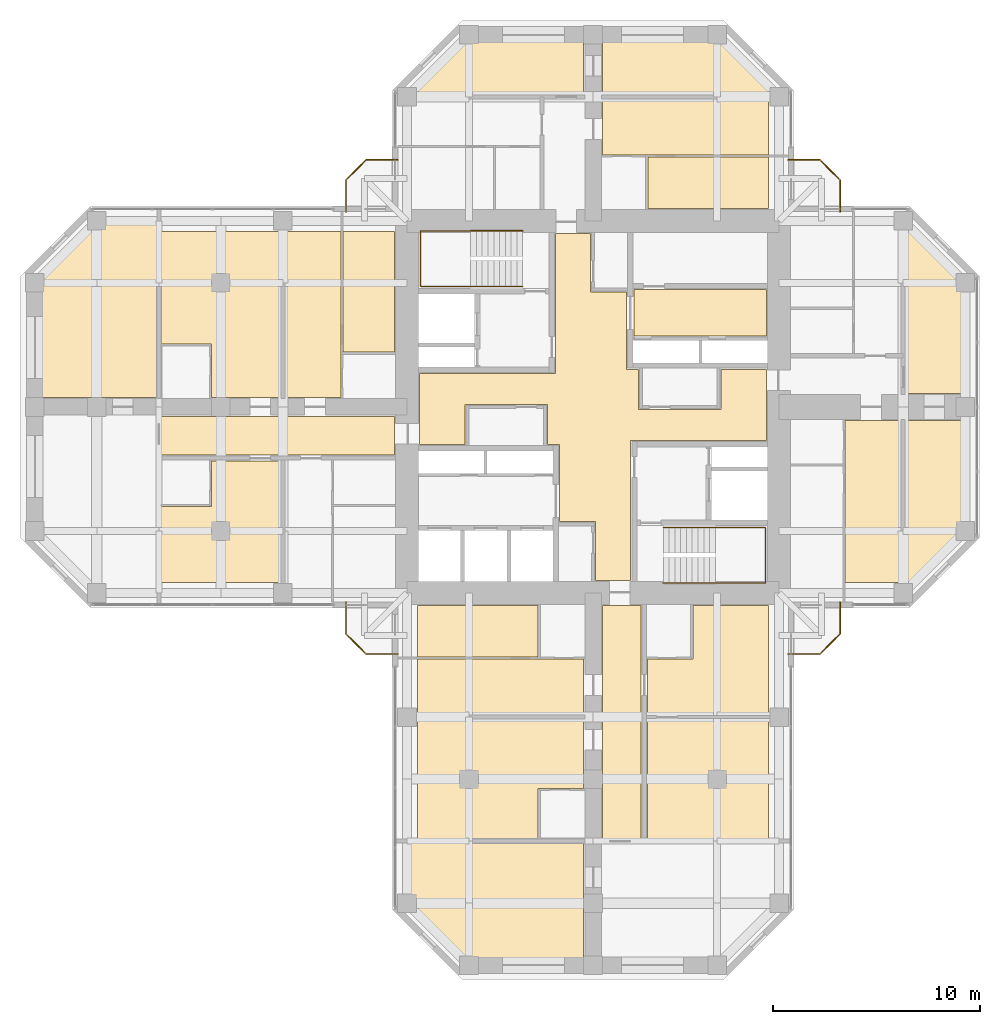
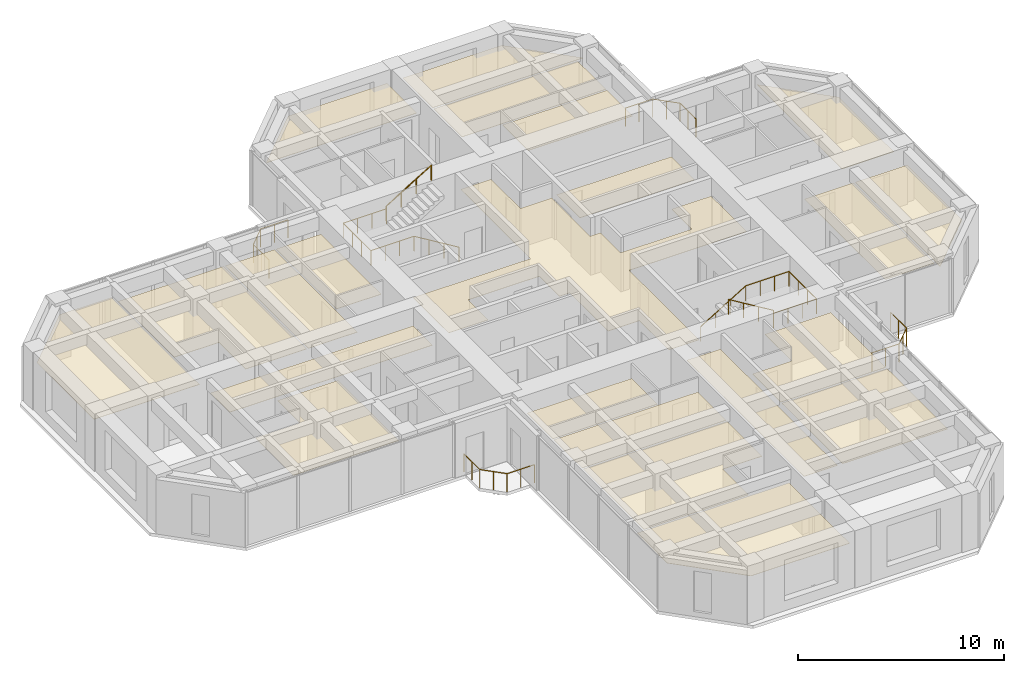
# One storey, part 14 of 14: 22 coverings, 8 railings.
"""IFC4 building model written with IfcOpenShell, lengths in metres."""

from ifc_helpers import new_model, si_unit, direction, frame, origin, origin_2d, place, context, subcontext, project, spatial, polyline, circle, outline, extrude, material, layer, layer_set, constituent, constituent_set, type_object, element, save


model = new_model("IFC4")

# Units and contexts
model_context = context("Model", 3, precision=1e-05, world=origin(), true_north=direction((0.0, 1.0)))
body_context = subcontext(model_context, "Body", "Model", "MODEL_VIEW")
ifc_project = project(units=[si_unit("LENGTHUNIT", "METRE"), si_unit("AREAUNIT", "SQUARE_METRE"), si_unit("VOLUMEUNIT", "CUBIC_METRE"), si_unit("PLANEANGLEUNIT", "RADIAN"), si_unit("MASSUNIT", "GRAM", prefix="KILO")], contexts=[model_context])

# Site, building, storey
site_placement = place(None, origin())
site = spatial("IfcSite", under=ifc_project, at=site_placement, CompositionType="ELEMENT")
building_placement = place(site_placement, origin())
building = spatial("IfcBuilding", under=site, at=building_placement, Name="Torre Cruceta", CompositionType="ELEMENT")
storey_placement = place(building_placement, frame((0.0, 0.0, 179.699951171875)))
storey = spatial("IfcBuildingStorey", under=building, at=storey_placement, Name="L44", CompositionType="ELEMENT", Elevation=179.699951171875)

# Railings
ifc_material_1 = material(Name="Stainless steel 1.4401", Category="steel")
ifc_constituent_1 = constituent(ifc_material_1, Name="Frame")
ifc_material_2 = material(Name="Laminated safety glass", Category="glass")
ifc_constituent_2 = constituent(ifc_material_2, Name="Infill")
ifc_constituent_set = constituent_set(constituents=[ifc_constituent_1, ifc_constituent_2], Name="Stainless steel and laminated glass balustrade")
railing_type_1 = type_object("IfcRailingType", Name="BALCONY BALUSTRADE 1100", PredefinedType="BALUSTRADE", material=ifc_constituent_set)
railing_1_placement = place(storey_placement, frame((-9.449951171875, 11.949951171875, 0.0)))
element("IfcRailing", 1, at=railing_1_placement, inside=storey, type_object=railing_type_1, Name="BL1 balcony balustrade L44 N", PredefinedType="BALUSTRADE", context=body_context, shape_type="SweptSolid", body=[
    extrude(circle(Radius=0.02392578125, at=origin_2d()), frame((0.0, 0.0, 1.076171875), z_axis=(-1.0, 0.0, 0.0), x_axis=(0.0, -1.0, 0.0)), (0.0, 0.0, 1.0), 1.529296875),
    extrude(circle(Radius=0.02392578125, at=origin_2d()), frame((-1.529296875, 0.0, 1.076171875), z_axis=(-0.707106781187, -0.707106781187, 0.0), x_axis=(0.707106781187, -0.707106781187, 0.0)), (0.0, 0.0, 1.0), 1.372802734375),
    extrude(circle(Radius=0.02392578125, at=origin_2d()), frame((-2.5, -0.970703125, 1.076171875), z_axis=(0.0, -1.0, 0.0), x_axis=(1.0, 0.0, 0.0)), (0.0, 0.0, 1.0), 1.529296875),
    extrude(circle(Radius=0.02099609375, at=origin_2d()), origin(), (0.0, 0.0, 1.0), 1.052001953125),
    extrude(circle(Radius=0.02099609375, at=origin_2d()), frame((-0.7646484375, 0.0, 0.0)), (0.0, 0.0, 1.0), 1.052001953125),
    extrude(circle(Radius=0.02099609375, at=origin_2d()), frame((-1.529296875, 0.0, 0.0)), (0.0, 0.0, 1.0), 1.052001953125),
    extrude(circle(Radius=0.02099609375, at=origin_2d()), frame((-2.0146484375, -0.4853515625, 0.0)), (0.0, 0.0, 1.0), 1.052001953125),
    extrude(circle(Radius=0.02099609375, at=origin_2d()), frame((-2.5, -0.970703125, 0.0)), (0.0, 0.0, 1.0), 1.052001953125),
    extrude(circle(Radius=0.02099609375, at=origin_2d()), frame((-2.5, -1.7353515625, 0.0)), (0.0, 0.0, 1.0), 1.052001953125),
    extrude(circle(Radius=0.02099609375, at=origin_2d()), frame((-2.5, -2.5, 0.0)), (0.0, 0.0, 1.0), 1.052001953125),
])
railing_2_placement = place(storey_placement, frame((9.449951171875, 11.949951171875, 0.0)))
element("IfcRailing", 2, at=railing_2_placement, inside=storey, type_object=railing_type_1, Name="BL1 balcony balustrade L44 E", PredefinedType="BALUSTRADE", context=body_context, shape_type="SweptSolid", body=[
    extrude(circle(Radius=0.02392578125, at=origin_2d()), frame((0.0, 0.0, 1.076171875), z_axis=(1.0, 0.0, 0.0), x_axis=(0.0, 1.0, 0.0)), (0.0, 0.0, 1.0), 1.529296875),
    extrude(circle(Radius=0.02392578125, at=origin_2d()), frame((1.529296875, 0.0, 1.076171875), z_axis=(0.707106781187, -0.707106781187, 0.0), x_axis=(0.707106781187, 0.707106781187, 0.0)), (0.0, 0.0, 1.0), 1.372802734375),
    extrude(circle(Radius=0.02392578125, at=origin_2d()), frame((2.5, -0.970703125, 1.076171875), z_axis=(0.0, -1.0, 0.0), x_axis=(1.0, 0.0, 0.0)), (0.0, 0.0, 1.0), 1.529296875),
    extrude(circle(Radius=0.02099609375, at=origin_2d()), origin(), (0.0, 0.0, 1.0), 1.052001953125),
    extrude(circle(Radius=0.02099609375, at=origin_2d()), frame((0.7646484375, 0.0, 0.0)), (0.0, 0.0, 1.0), 1.052001953125),
    extrude(circle(Radius=0.02099609375, at=origin_2d()), frame((1.529296875, 0.0, 0.0)), (0.0, 0.0, 1.0), 1.052001953125),
    extrude(circle(Radius=0.02099609375, at=origin_2d()), frame((2.0146484375, -0.4853515625, 0.0)), (0.0, 0.0, 1.0), 1.052001953125),
    extrude(circle(Radius=0.02099609375, at=origin_2d()), frame((2.5, -0.970703125, 0.0)), (0.0, 0.0, 1.0), 1.052001953125),
    extrude(circle(Radius=0.02099609375, at=origin_2d()), frame((2.5, -1.7353515625, 0.0)), (0.0, 0.0, 1.0), 1.052001953125),
    extrude(circle(Radius=0.02099609375, at=origin_2d()), frame((2.5, -2.5, 0.0)), (0.0, 0.0, 1.0), 1.052001953125),
])
railing_3_placement = place(storey_placement, frame((9.449951171875, -11.949951171875, 0.0)))
element("IfcRailing", 3, at=railing_3_placement, inside=storey, type_object=railing_type_1, Name="BL1 balcony balustrade L44 S", PredefinedType="BALUSTRADE", context=body_context, shape_type="SweptSolid", body=[
    extrude(circle(Radius=0.02392578125, at=origin_2d()), frame((0.0, 0.0, 1.076171875), z_axis=(1.0, 0.0, 0.0), x_axis=(0.0, 1.0, 0.0)), (0.0, 0.0, 1.0), 1.529296875),
    extrude(circle(Radius=0.02392578125, at=origin_2d()), frame((1.529296875, 0.0, 1.076171875), z_axis=(0.707106781187, 0.707106781187, 0.0), x_axis=(-0.707106781187, 0.707106781187, 0.0)), (0.0, 0.0, 1.0), 1.372802734375),
    extrude(circle(Radius=0.02392578125, at=origin_2d()), frame((2.5, 0.970703125, 1.076171875), z_axis=(0.0, 1.0, 0.0), x_axis=(-1.0, 0.0, 0.0)), (0.0, 0.0, 1.0), 1.529296875),
    extrude(circle(Radius=0.02099609375, at=origin_2d()), origin(), (0.0, 0.0, 1.0), 1.052001953125),
    extrude(circle(Radius=0.02099609375, at=origin_2d()), frame((0.7646484375, 0.0, 0.0)), (0.0, 0.0, 1.0), 1.052001953125),
    extrude(circle(Radius=0.02099609375, at=origin_2d()), frame((1.529296875, 0.0, 0.0)), (0.0, 0.0, 1.0), 1.052001953125),
    extrude(circle(Radius=0.02099609375, at=origin_2d()), frame((2.0146484375, 0.4853515625, 0.0)), (0.0, 0.0, 1.0), 1.052001953125),
    extrude(circle(Radius=0.02099609375, at=origin_2d()), frame((2.5, 0.970703125, 0.0)), (0.0, 0.0, 1.0), 1.052001953125),
    extrude(circle(Radius=0.02099609375, at=origin_2d()), frame((2.5, 1.7353515625, 0.0)), (0.0, 0.0, 1.0), 1.052001953125),
    extrude(circle(Radius=0.02099609375, at=origin_2d()), frame((2.5, 2.5, 0.0)), (0.0, 0.0, 1.0), 1.052001953125),
])
railing_4_placement = place(storey_placement, frame((-9.449951171875, -11.949951171875, 0.0)))
element("IfcRailing", 4, at=railing_4_placement, inside=storey, type_object=railing_type_1, Name="BL1 balcony balustrade L44 W", PredefinedType="BALUSTRADE", context=body_context, shape_type="SweptSolid", body=[
    extrude(circle(Radius=0.02392578125, at=origin_2d()), frame((0.0, 0.0, 1.076171875), z_axis=(-1.0, 0.0, 0.0), x_axis=(0.0, -1.0, 0.0)), (0.0, 0.0, 1.0), 1.529296875),
    extrude(circle(Radius=0.02392578125, at=origin_2d()), frame((-1.529296875, 0.0, 1.076171875), z_axis=(-0.707106781187, 0.707106781187, 0.0), x_axis=(-0.707106781187, -0.707106781187, 0.0)), (0.0, 0.0, 1.0), 1.372802734375),
    extrude(circle(Radius=0.02392578125, at=origin_2d()), frame((-2.5, 0.970703125, 1.076171875), z_axis=(0.0, 1.0, 0.0), x_axis=(-1.0, 0.0, 0.0)), (0.0, 0.0, 1.0), 1.529296875),
    extrude(circle(Radius=0.02099609375, at=origin_2d()), origin(), (0.0, 0.0, 1.0), 1.052001953125),
    extrude(circle(Radius=0.02099609375, at=origin_2d()), frame((-0.7646484375, 0.0, 0.0)), (0.0, 0.0, 1.0), 1.052001953125),
    extrude(circle(Radius=0.02099609375, at=origin_2d()), frame((-1.529296875, 0.0, 0.0)), (0.0, 0.0, 1.0), 1.052001953125),
    extrude(circle(Radius=0.02099609375, at=origin_2d()), frame((-2.0146484375, 0.4853515625, 0.0)), (0.0, 0.0, 1.0), 1.052001953125),
    extrude(circle(Radius=0.02099609375, at=origin_2d()), frame((-2.5, 0.970703125, 0.0)), (0.0, 0.0, 1.0), 1.052001953125),
    extrude(circle(Radius=0.02099609375, at=origin_2d()), frame((-2.5, 1.7353515625, 0.0)), (0.0, 0.0, 1.0), 1.052001953125),
    extrude(circle(Radius=0.02099609375, at=origin_2d()), frame((-2.5, 2.5, 0.0)), (0.0, 0.0, 1.0), 1.052001953125),
])
ifc_material_3 = material(Name="Stainless steel 1.4401", Category="steel")
railing_type_2 = type_object("IfcRailingType", Name="HANDRAIL 900", PredefinedType="HANDRAIL", material=ifc_material_3)
railing_5_placement = place(storey_placement, frame((-3.39990234375, 5.8349609375, 0.170166015625)))
element("IfcRailing", 5, at=railing_5_placement, inside=storey, type_object=railing_type_2, Name="Handrail HR1 ST1 L44", PredefinedType="HANDRAIL", context=body_context, shape_type="SweptSolid", body=[
    extrude(circle(Radius=0.02392578125, at=origin_2d()), frame((0.0, 0.0, 0.8759765625), z_axis=(-0.854821627497, 0.0, 0.518921945155), x_axis=(0.0, -1.0, 0.0)), (0.0, 0.0, 1.0), 2.947998046875),
    extrude(circle(Radius=0.02392578125, at=origin_2d()), frame((-2.52001953125, 0.0, 2.40576171875), z_axis=(-1.0, 0.0, 0.0), x_axis=(0.0, -1.0, 0.0)), (0.0, 0.0, 1.0), 2.420166015625),
    extrude(circle(Radius=0.02392578125, at=origin_2d()), frame((-4.940185546875, 0.0, 2.40576171875), z_axis=(0.0, 1.0, 0.0), x_axis=(-1.0, 0.0, 0.0)), (0.0, 0.0, 1.0), 2.679931640625),
    extrude(circle(Radius=0.02392578125, at=origin_2d()), frame((-4.940185546875, 2.679931640625, 2.40576171875), z_axis=(1.0, 0.0, 0.0), x_axis=(0.0, 1.0, 0.0)), (0.0, 0.0, 1.0), 2.420166015625),
    extrude(circle(Radius=0.02099609375, at=origin_2d()), origin(), (0.0, 0.0, 1.0), 0.851806640625),
    extrude(circle(Radius=0.02099609375, at=origin_2d()), frame((-0.840087890625, 0.0, 0.510009765625)), (0.0, 0.0, 1.0), 0.851806640625),
    extrude(circle(Radius=0.02099609375, at=origin_2d()), frame((-1.679931640625, 0.0, 1.019775390625)), (0.0, 0.0, 1.0), 0.851806640625),
    extrude(circle(Radius=0.02099609375, at=origin_2d()), frame((-2.52001953125, 0.0, 1.52978515625)), (0.0, 0.0, 1.0), 0.851806640625),
    extrude(circle(Radius=0.02099609375, at=origin_2d()), frame((-3.32666015625, 0.0, 1.52978515625)), (0.0, 0.0, 1.0), 0.851806640625),
    extrude(circle(Radius=0.02099609375, at=origin_2d()), frame((-4.133544921875, 0.0, 1.52978515625)), (0.0, 0.0, 1.0), 0.851806640625),
    extrude(circle(Radius=0.02099609375, at=origin_2d()), frame((-4.940185546875, 0.0, 1.52978515625)), (0.0, 0.0, 1.0), 0.851806640625),
    extrude(circle(Radius=0.02099609375, at=origin_2d()), frame((-4.940185546875, 0.893310546875, 1.52978515625)), (0.0, 0.0, 1.0), 0.851806640625),
    extrude(circle(Radius=0.02099609375, at=origin_2d()), frame((-4.940185546875, 1.78662109375, 1.52978515625)), (0.0, 0.0, 1.0), 0.851806640625),
    extrude(circle(Radius=0.02099609375, at=origin_2d()), frame((-4.940185546875, 2.679931640625, 1.52978515625)), (0.0, 0.0, 1.0), 0.851806640625),
    extrude(circle(Radius=0.02099609375, at=origin_2d()), frame((-4.133544921875, 2.679931640625, 1.52978515625)), (0.0, 0.0, 1.0), 0.851806640625),
    extrude(circle(Radius=0.02099609375, at=origin_2d()), frame((-3.32666015625, 2.679931640625, 1.52978515625)), (0.0, 0.0, 1.0), 0.851806640625),
    extrude(circle(Radius=0.02099609375, at=origin_2d()), frame((-2.52001953125, 2.679931640625, 1.52978515625)), (0.0, 0.0, 1.0), 0.851806640625),
])
railing_6_placement = place(storey_placement, frame((-5.919921875, 8.514892578125, 1.8701171875)))
element("IfcRailing", 6, at=railing_6_placement, inside=storey, type_object=railing_type_2, Name="Handrail HR1 ST1 L44", PredefinedType="HANDRAIL", context=body_context, shape_type="SweptSolid", body=[
    extrude(circle(Radius=0.02392578125, at=origin_2d()), frame((0.0, 0.0, 0.8759765625), z_axis=(0.85478489116, 0.0, 0.518982456201), x_axis=(0.0, 1.0, 0.0)), (0.0, 0.0, 1.0), 2.9482421875),
    extrude(circle(Radius=0.02099609375, at=origin_2d()), origin(), (0.0, 0.0, 1.0), 0.851806640625),
    extrude(circle(Radius=0.02099609375, at=origin_2d()), frame((0.840087890625, 0.0, 0.510009765625)), (0.0, 0.0, 1.0), 0.851806640625),
    extrude(circle(Radius=0.02099609375, at=origin_2d()), frame((1.679931640625, 0.0, 1.02001953125)), (0.0, 0.0, 1.0), 0.851806640625),
    extrude(circle(Radius=0.02099609375, at=origin_2d()), frame((2.52001953125, 0.0, 1.530029296875)), (0.0, 0.0, 1.0), 0.851806640625),
])
railing_7_placement = place(storey_placement, frame((3.39990234375, -5.8349609375, 0.170166015625)))
element("IfcRailing", 7, at=railing_7_placement, inside=storey, type_object=railing_type_2, Name="Handrail HR1 ST2 L44", PredefinedType="HANDRAIL", context=body_context, shape_type="SweptSolid", body=[
    extrude(circle(Radius=0.02392578125, at=origin_2d()), frame((0.0, 0.0, 0.8759765625), z_axis=(0.854821627497, 0.0, 0.518921945155), x_axis=(0.0, 1.0, 0.0)), (0.0, 0.0, 1.0), 2.947998046875),
    extrude(circle(Radius=0.02392578125, at=origin_2d()), frame((2.52001953125, 0.0, 2.40576171875), z_axis=(1.0, 0.0, 0.0), x_axis=(0.0, 1.0, 0.0)), (0.0, 0.0, 1.0), 2.420166015625),
    extrude(circle(Radius=0.02392578125, at=origin_2d()), frame((4.940185546875, 0.0, 2.40576171875), z_axis=(0.0, -1.0, 0.0), x_axis=(1.0, 0.0, 0.0)), (0.0, 0.0, 1.0), 2.679931640625),
    extrude(circle(Radius=0.02392578125, at=origin_2d()), frame((4.940185546875, -2.679931640625, 2.40576171875), z_axis=(-1.0, 0.0, 0.0), x_axis=(0.0, -1.0, 0.0)), (0.0, 0.0, 1.0), 2.420166015625),
    extrude(circle(Radius=0.02099609375, at=origin_2d()), origin(), (0.0, 0.0, 1.0), 0.851806640625),
    extrude(circle(Radius=0.02099609375, at=origin_2d()), frame((0.840087890625, 0.0, 0.510009765625)), (0.0, 0.0, 1.0), 0.851806640625),
    extrude(circle(Radius=0.02099609375, at=origin_2d()), frame((1.679931640625, 0.0, 1.019775390625)), (0.0, 0.0, 1.0), 0.851806640625),
    extrude(circle(Radius=0.02099609375, at=origin_2d()), frame((2.52001953125, 0.0, 1.52978515625)), (0.0, 0.0, 1.0), 0.851806640625),
    extrude(circle(Radius=0.02099609375, at=origin_2d()), frame((3.32666015625, 0.0, 1.52978515625)), (0.0, 0.0, 1.0), 0.851806640625),
    extrude(circle(Radius=0.02099609375, at=origin_2d()), frame((4.133544921875, 0.0, 1.52978515625)), (0.0, 0.0, 1.0), 0.851806640625),
    extrude(circle(Radius=0.02099609375, at=origin_2d()), frame((4.940185546875, 0.0, 1.52978515625)), (0.0, 0.0, 1.0), 0.851806640625),
    extrude(circle(Radius=0.02099609375, at=origin_2d()), frame((4.940185546875, -0.893310546875, 1.52978515625)), (0.0, 0.0, 1.0), 0.851806640625),
    extrude(circle(Radius=0.02099609375, at=origin_2d()), frame((4.940185546875, -1.78662109375, 1.52978515625)), (0.0, 0.0, 1.0), 0.851806640625),
    extrude(circle(Radius=0.02099609375, at=origin_2d()), frame((4.940185546875, -2.679931640625, 1.52978515625)), (0.0, 0.0, 1.0), 0.851806640625),
    extrude(circle(Radius=0.02099609375, at=origin_2d()), frame((4.133544921875, -2.679931640625, 1.52978515625)), (0.0, 0.0, 1.0), 0.851806640625),
    extrude(circle(Radius=0.02099609375, at=origin_2d()), frame((3.32666015625, -2.679931640625, 1.52978515625)), (0.0, 0.0, 1.0), 0.851806640625),
    extrude(circle(Radius=0.02099609375, at=origin_2d()), frame((2.52001953125, -2.679931640625, 1.52978515625)), (0.0, 0.0, 1.0), 0.851806640625),
])
railing_8_placement = place(storey_placement, frame((5.919921875, -8.514892578125, 1.8701171875)))
element("IfcRailing", 8, at=railing_8_placement, inside=storey, type_object=railing_type_2, Name="Handrail HR1 ST2 L44", PredefinedType="HANDRAIL", context=body_context, shape_type="SweptSolid", body=[
    extrude(circle(Radius=0.02392578125, at=origin_2d()), frame((0.0, 0.0, 0.8759765625), z_axis=(-0.85478489116, 0.0, 0.518982456201), x_axis=(0.0, -1.0, 0.0)), (0.0, 0.0, 1.0), 2.9482421875),
    extrude(circle(Radius=0.02099609375, at=origin_2d()), origin(), (0.0, 0.0, 1.0), 0.851806640625),
    extrude(circle(Radius=0.02099609375, at=origin_2d()), frame((-0.840087890625, 0.0, 0.510009765625)), (0.0, 0.0, 1.0), 0.851806640625),
    extrude(circle(Radius=0.02099609375, at=origin_2d()), frame((-1.679931640625, 0.0, 1.02001953125)), (0.0, 0.0, 1.0), 0.851806640625),
    extrude(circle(Radius=0.02099609375, at=origin_2d()), frame((-2.52001953125, 0.0, 1.530029296875)), (0.0, 0.0, 1.0), 0.851806640625),
])

# Coverings
ifc_material_4 = material(Name="Mineral fibre ceiling tile", Category="gypsum")
ifc_layer = layer(ifc_material_4, 0.02001953125)
ifc_layer_set = layer_set([ifc_layer], Name="Mineral fibre ceiling tile")
covering_type = type_object("IfcCoveringType", Name="SUSPENDED CEILING 20", PredefinedType="CEILING", material=ifc_layer_set)
covering_1_placement = place(storey_placement, frame((0.0, 0.0, 2.35009765625)))
element("IfcCovering", 9, at=covering_1_placement, inside=storey, type_object=covering_type, Name="Ceiling L44-002", PredefinedType="CEILING", context=body_context, shape_type="SweptSolid", body=[
    extrude(outline(polyline([(1.824951171875, -8.39990234375), (0.125, -8.39990234375), (0.125, -5.550048828125), (-1.625, -5.550048828125), (-1.625, -1.824951171875), (-2.199951171875, -1.824951171875), (-2.199951171875, 0.125), (-6.199951171875, 0.125), (-6.199951171875, -1.824951171875), (-8.39990234375, -1.824951171875), (-8.39990234375, 1.625), (-1.824951171875, 1.625), (-1.824951171875, 8.39990234375), (-0.125, 8.39990234375), (-0.125, 5.550048828125), (1.625, 5.550048828125), (1.625, 1.824951171875), (2.199951171875, 1.824951171875), (2.199951171875, -0.125), (6.199951171875, -0.125), (6.199951171875, 1.824951171875), (8.39990234375, 1.824951171875), (8.39990234375, -1.625), (1.824951171875, -1.625), (1.824951171875, -8.39990234375)])), origin(), (0.0, 0.0, 1.0), 0.02001953125),
])
covering_2_placement = place(storey_placement, frame((0.0, 0.0, 2.35009765625)))
element("IfcCovering", 10, at=covering_2_placement, inside=storey, type_object=covering_type, Name="Ceiling L44-007", PredefinedType="CEILING", context=body_context, shape_type="SweptSolid", body=[
    extrude(outline(polyline([(1.97509765625, 3.425048828125), (1.97509765625, 5.675048828125), (8.39990234375, 5.675048828125), (8.39990234375, 3.425048828125), (1.97509765625, 3.425048828125)])), origin(), (0.0, 0.0, 1.0), 0.02001953125),
])
covering_3_placement = place(storey_placement, frame((0.0, 0.0, 2.35009765625)))
element("IfcCovering", 11, at=covering_3_placement, inside=storey, type_object=covering_type, Name="Ceiling L44-028", PredefinedType="CEILING", context=body_context, shape_type="SweptSolid", body=[
    extrude(outline(polyline([(8.5, 14.949951171875), (8.5, 12.199951171875), (0.449951171875, 12.199951171875), (0.449951171875, 14.949951171875), (8.5, 14.949951171875)])), origin(), (0.0, 0.0, 1.0), 0.02001953125),
])
covering_4_placement = place(storey_placement, frame((0.0, 0.0, 2.35009765625)))
element("IfcCovering", 12, at=covering_4_placement, inside=storey, type_object=covering_type, Name="Ceiling L44-029", PredefinedType="CEILING", context=body_context, shape_type="SweptSolid", body=[
    extrude(outline(polyline([(8.5, 9.60009765625), (2.64990234375, 9.60009765625), (2.64990234375, 12.10009765625), (8.5, 12.10009765625), (8.5, 9.60009765625)])), origin(), (0.0, 0.0, 1.0), 0.02001953125),
])
covering_5_placement = place(storey_placement, frame((0.0, 0.0, 2.35009765625)))
element("IfcCovering", 13, at=covering_5_placement, inside=storey, type_object=covering_type, Name="Ceiling L44-031", PredefinedType="CEILING", context=body_context, shape_type="SweptSolid", body=[
    extrude(outline(polyline([(-5.979248046875, 17.949951171875), (-0.449951171875, 17.949951171875), (-0.449951171875, 15.050048828125), (-8.87939453125, 15.050048828125), (-5.979248046875, 17.949951171875)])), origin(), (0.0, 0.0, 1.0), 0.02001953125),
])
covering_6_placement = place(storey_placement, frame((0.0, 0.0, 2.35009765625)))
element("IfcCovering", 14, at=covering_6_placement, inside=storey, type_object=covering_type, Name="Ceiling L44-032", PredefinedType="CEILING", context=body_context, shape_type="SweptSolid", body=[
    extrude(outline(polyline([(8.87939453125, 15.050048828125), (0.449951171875, 15.050048828125), (0.449951171875, 17.949951171875), (5.979248046875, 17.949951171875), (8.87939453125, 15.050048828125)])), origin(), (0.0, 0.0, 1.0), 0.02001953125),
])
covering_7_placement = place(storey_placement, frame((0.0, 0.0, 2.35009765625)))
element("IfcCovering", 15, at=covering_7_placement, inside=storey, type_object=covering_type, Name="Ceiling L44-037", PredefinedType="CEILING", context=body_context, shape_type="SweptSolid", body=[
    extrude(outline(polyline([(14.949951171875, -8.5), (12.199951171875, -8.5), (12.199951171875, -0.64990234375), (14.949951171875, -0.64990234375), (14.949951171875, -8.5)])), origin(), (0.0, 0.0, 1.0), 0.02001953125),
])
covering_8_placement = place(storey_placement, frame((0.0, 0.0, 2.35009765625)))
element("IfcCovering", 16, at=covering_8_placement, inside=storey, type_object=covering_type, Name="Ceiling L44-040", PredefinedType="CEILING", context=body_context, shape_type="SweptSolid", body=[
    extrude(outline(polyline([(17.949951171875, 5.979248046875), (17.949951171875, 0.64990234375), (15.050048828125, 0.64990234375), (15.050048828125, 8.87939453125), (17.949951171875, 5.979248046875)])), origin(), (0.0, 0.0, 1.0), 0.02001953125),
])
covering_9_placement = place(storey_placement, frame((0.0, 0.0, 2.35009765625)))
element("IfcCovering", 17, at=covering_9_placement, inside=storey, type_object=covering_type, Name="Ceiling L44-041", PredefinedType="CEILING", context=body_context, shape_type="SweptSolid", body=[
    extrude(outline(polyline([(15.050048828125, -8.87939453125), (15.050048828125, -0.64990234375), (17.949951171875, -0.64990234375), (17.949951171875, -5.979248046875), (15.050048828125, -8.87939453125)])), origin(), (0.0, 0.0, 1.0), 0.02001953125),
])
covering_10_placement = place(storey_placement, frame((0.0, 0.0, 2.35009765625)))
element("IfcCovering", 18, at=covering_10_placement, inside=storey, type_object=covering_type, Name="Ceiling L44-042", PredefinedType="CEILING", context=body_context, shape_type="SweptSolid", body=[
    extrude(outline(polyline([(0.449951171875, -9.60009765625), (2.324951171875, -9.60009765625), (2.324951171875, -20.949951171875), (0.449951171875, -20.949951171875), (0.449951171875, -9.60009765625)])), origin(), (0.0, 0.0, 1.0), 0.02001953125),
])
covering_11_placement = place(storey_placement, frame((0.0, 0.0, 2.35009765625)))
element("IfcCovering", 19, at=covering_11_placement, inside=storey, type_object=covering_type, Name="Ceiling L44-043", PredefinedType="CEILING", context=body_context, shape_type="SweptSolid", body=[
    extrude(outline(polyline([(8.5, -9.60009765625), (8.5, -14.949951171875), (2.625, -14.949951171875), (2.625, -12.199951171875), (4.824951171875, -12.199951171875), (4.824951171875, -9.60009765625), (8.5, -9.60009765625)])), origin(), (0.0, 0.0, 1.0), 0.02001953125),
])
covering_12_placement = place(storey_placement, frame((0.0, 0.0, 2.35009765625)))
element("IfcCovering", 20, at=covering_12_placement, inside=storey, type_object=covering_type, Name="Ceiling L44-045", PredefinedType="CEILING", context=body_context, shape_type="SweptSolid", body=[
    extrude(outline(polyline([(2.625, -15.050048828125), (8.5, -15.050048828125), (8.5, -20.949951171875), (2.625, -20.949951171875), (2.625, -15.050048828125)])), origin(), (0.0, 0.0, 1.0), 0.02001953125),
])
covering_13_placement = place(storey_placement, frame((0.0, 0.0, 2.35009765625)))
element("IfcCovering", 21, at=covering_13_placement, inside=storey, type_object=covering_type, Name="Ceiling L44-046", PredefinedType="CEILING", context=body_context, shape_type="SweptSolid", body=[
    extrude(outline(polyline([(-8.5, -14.949951171875), (-8.5, -12.199951171875), (-0.449951171875, -12.199951171875), (-0.449951171875, -14.949951171875), (-8.5, -14.949951171875)])), origin(), (0.0, 0.0, 1.0), 0.02001953125),
])
covering_14_placement = place(storey_placement, frame((0.0, 0.0, 2.35009765625)))
element("IfcCovering", 22, at=covering_14_placement, inside=storey, type_object=covering_type, Name="Ceiling L44-047", PredefinedType="CEILING", context=body_context, shape_type="SweptSolid", body=[
    extrude(outline(polyline([(-8.5, -9.60009765625), (-2.64990234375, -9.60009765625), (-2.64990234375, -12.10009765625), (-8.5, -12.10009765625), (-8.5, -9.60009765625)])), origin(), (0.0, 0.0, 1.0), 0.02001953125),
])
covering_15_placement = place(storey_placement, frame((0.0, 0.0, 2.35009765625)))
element("IfcCovering", 23, at=covering_15_placement, inside=storey, type_object=covering_type, Name="Ceiling L44-049", PredefinedType="CEILING", context=body_context, shape_type="SweptSolid", body=[
    extrude(outline(polyline([(-8.5, -20.949951171875), (-8.5, -15.050048828125), (-0.449951171875, -15.050048828125), (-0.449951171875, -18.449951171875), (-2.64990234375, -18.449951171875), (-2.64990234375, -20.949951171875), (-8.5, -20.949951171875)])), origin(), (0.0, 0.0, 1.0), 0.02001953125),
])
covering_16_placement = place(storey_placement, frame((0.0, 0.0, 2.35009765625)))
element("IfcCovering", 24, at=covering_16_placement, inside=storey, type_object=covering_type, Name="Ceiling L44-052", PredefinedType="CEILING", context=body_context, shape_type="SweptSolid", body=[
    extrude(outline(polyline([(-8.949951171875, -23.979248046875), (-8.949951171875, -21.050048828125), (-0.449951171875, -21.050048828125), (-0.449951171875, -26.949951171875), (-5.979248046875, -26.949951171875), (-8.949951171875, -23.979248046875)])), origin(), (0.0, 0.0, 1.0), 0.02001953125),
])
covering_17_placement = place(storey_placement, frame((0.0, 0.0, 2.35009765625)))
element("IfcCovering", 25, at=covering_17_placement, inside=storey, type_object=covering_type, Name="Ceiling L44-053", PredefinedType="CEILING", context=body_context, shape_type="SweptSolid", body=[
    extrude(outline(polyline([(-9.60009765625, -0.449951171875), (-9.60009765625, -2.324951171875), (-20.949951171875, -2.324951171875), (-20.949951171875, -0.449951171875), (-9.60009765625, -0.449951171875)])), origin(), (0.0, 0.0, 1.0), 0.02001953125),
])
covering_18_placement = place(storey_placement, frame((0.0, 0.0, 2.35009765625)))
element("IfcCovering", 26, at=covering_18_placement, inside=storey, type_object=covering_type, Name="Ceiling L44-057", PredefinedType="CEILING", context=body_context, shape_type="SweptSolid", body=[
    extrude(outline(polyline([(-14.949951171875, 8.5), (-12.199951171875, 8.5), (-12.199951171875, 0.449951171875), (-14.949951171875, 0.449951171875), (-14.949951171875, 8.5)])), origin(), (0.0, 0.0, 1.0), 0.02001953125),
])
covering_19_placement = place(storey_placement, frame((0.0, 0.0, 2.35009765625)))
element("IfcCovering", 27, at=covering_19_placement, inside=storey, type_object=covering_type, Name="Ceiling L44-058", PredefinedType="CEILING", context=body_context, shape_type="SweptSolid", body=[
    extrude(outline(polyline([(-9.60009765625, 8.5), (-9.60009765625, 2.64990234375), (-12.10009765625, 2.64990234375), (-12.10009765625, 8.5), (-9.60009765625, 8.5)])), origin(), (0.0, 0.0, 1.0), 0.02001953125),
])
covering_20_placement = place(storey_placement, frame((0.0, 0.0, 2.35009765625)))
element("IfcCovering", 28, at=covering_20_placement, inside=storey, type_object=covering_type, Name="Ceiling L44-060", PredefinedType="CEILING", context=body_context, shape_type="SweptSolid", body=[
    extrude(outline(polyline([(-15.050048828125, -2.625), (-15.050048828125, -8.5), (-20.949951171875, -8.5), (-20.949951171875, -4.824951171875), (-18.449951171875, -4.824951171875), (-18.449951171875, -2.625), (-15.050048828125, -2.625)])), origin(), (0.0, 0.0, 1.0), 0.02001953125),
])
covering_21_placement = place(storey_placement, frame((0.0, 0.0, 2.35009765625)))
element("IfcCovering", 29, at=covering_21_placement, inside=storey, type_object=covering_type, Name="Ceiling L44-062", PredefinedType="CEILING", context=body_context, shape_type="SweptSolid", body=[
    extrude(outline(polyline([(-20.949951171875, 8.5), (-15.050048828125, 8.5), (-15.050048828125, 0.449951171875), (-18.449951171875, 0.449951171875), (-18.449951171875, 3.050048828125), (-20.949951171875, 3.050048828125), (-20.949951171875, 8.5)])), origin(), (0.0, 0.0, 1.0), 0.02001953125),
])
covering_22_placement = place(storey_placement, frame((0.0, 0.0, 2.35009765625)))
element("IfcCovering", 30, at=covering_22_placement, inside=storey, type_object=covering_type, Name="Ceiling L44-065", PredefinedType="CEILING", context=body_context, shape_type="SweptSolid", body=[
    extrude(outline(polyline([(-23.979248046875, 8.949951171875), (-21.050048828125, 8.949951171875), (-21.050048828125, 0.449951171875), (-26.949951171875, 0.449951171875), (-26.949951171875, 5.979248046875), (-23.979248046875, 8.949951171875)])), origin(), (0.0, 0.0, 1.0), 0.02001953125),
])

save(model, "model.ifc")
